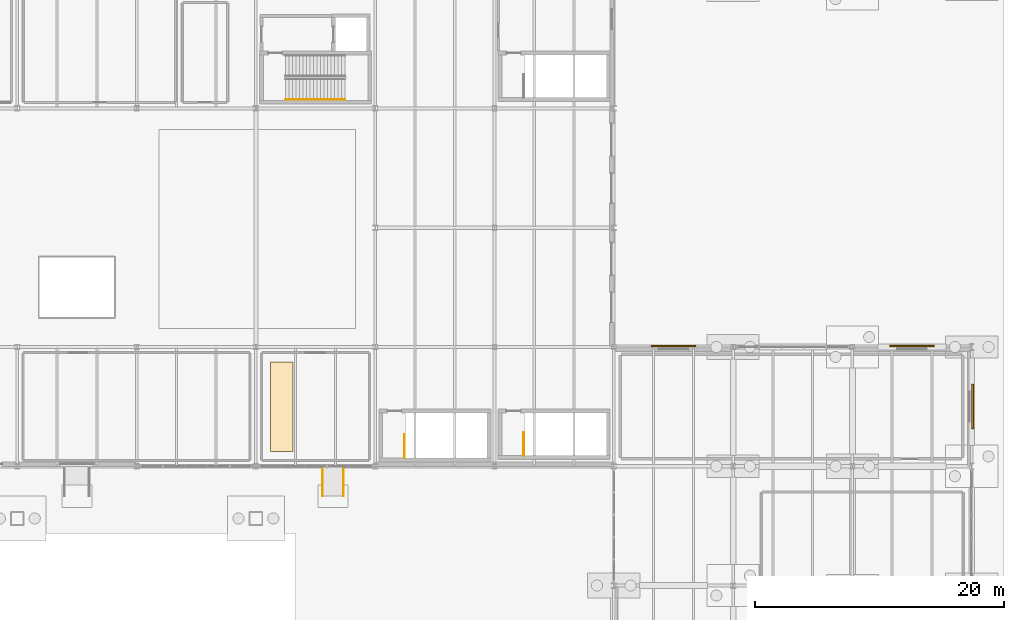
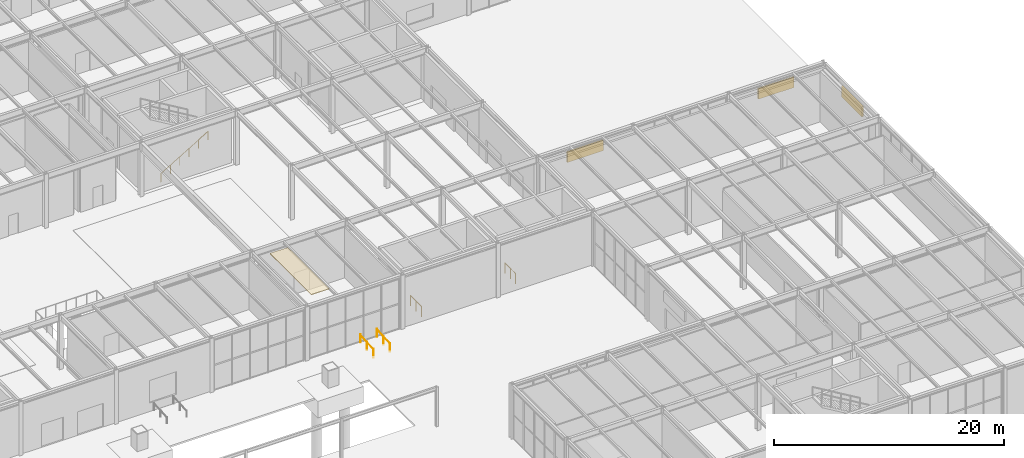
# One storey, part 139 of 142: 5 railings, 3 shading devices, 1 covering.
"""IFC4 building model written with IfcOpenShell, lengths in metres."""

from ifc_helpers import new_model, si_unit, direction, frame, origin, origin_2d, place, context, subcontext, project, spatial, polyline, rectangle, circle, outline, extrude, material, layer, layer_set, type_object, element, save


model = new_model("IFC4")

# Units and contexts
model_context = context("Model", 3, precision=1e-05, world=origin(), true_north=direction((0.0, 1.0)))
body_context = subcontext(model_context, "Body", "Model", "MODEL_VIEW")
ifc_project = project(units=[si_unit("LENGTHUNIT", "METRE"), si_unit("AREAUNIT", "SQUARE_METRE"), si_unit("VOLUMEUNIT", "CUBIC_METRE"), si_unit("PLANEANGLEUNIT", "RADIAN"), si_unit("MASSUNIT", "GRAM", prefix="KILO")], contexts=[model_context])

# Site, building, storey
site_placement = place(None, origin())
site = spatial("IfcSite", under=ifc_project, at=site_placement, CompositionType="ELEMENT")
building_placement = place(site_placement, origin())
building = spatial("IfcBuilding", under=site, at=building_placement, Name="Coralgate Yard Interchange", CompositionType="ELEMENT")
storey_placement = place(building_placement, origin())
storey = spatial("IfcBuildingStorey", under=building, at=storey_placement, Name="L00", CompositionType="ELEMENT", Elevation=0.0)

# Covering
ifc_material_1 = material(Name="Mineral-fibre acoustic baffle ceiling panel")
ifc_layer = layer(ifc_material_1, 0.06005859375)
ifc_layer_set = layer_set([ifc_layer], Name="Mineral-fibre acoustic baffle ceiling panel")
covering_type = type_object("IfcCoveringType", Name="COV-CEL2", PredefinedType="CEILING", material=ifc_layer_set)
covering_placement = place(storey_placement, frame((0.0, 0.0, 5.72509765625)))
element("IfcCovering", 1, at=covering_placement, inside=storey, type_object=covering_type, Name="Concourse Convenience Retail 04 acoustic soffit panel", PredefinedType="CEILING", context=body_context, shape_type="SweptSolid", body=[
    extrude(outline(polyline([(125.989990234375, 39.590087890625), (127.800048828125, 39.590087890625), (127.800048828125, 46.81005859375), (125.989990234375, 46.81005859375), (125.989990234375, 39.590087890625)])), origin(), (0.0, 0.0, 1.0), 0.059814453125),
])

# Railings
ifc_material_2 = material(Name="Grade 316 marine stainless steel and toughened glass balustrade", Category="steel")
railing_type_1 = type_object("IfcRailingType", Name="RLG-GD1100", PredefinedType="BALUSTRADE", material=ifc_material_2)
railing_1_placement = place(storey_placement, frame((146.35009765625, 39.260009765625, 0.0)))
element("IfcRailing", 2, at=railing_1_placement, inside=storey, type_object=railing_type_1, Name="L00 ST-10 top well guard 1", PredefinedType="BALUSTRADE", context=body_context, shape_type="SweptSolid", body=[
    extrude(circle(Radius=0.02392578125, at=origin_2d()), frame((0.0, 0.0, 1.076171875), z_axis=(0.0, 1.0, 0.0), x_axis=(-1.0, 0.0, 0.0)), (0.0, 0.0, 1.0), 1.869873046875),
    extrude(circle(Radius=0.02099609375, at=origin_2d()), origin(), (0.0, 0.0, 1.0), 1.051513671875),
    extrude(circle(Radius=0.02099609375, at=origin_2d()), frame((0.0, 0.93505859375, 0.0)), (0.0, 0.0, 1.0), 1.051513671875),
    extrude(circle(Radius=0.02099609375, at=origin_2d()), frame((0.0, 1.869873046875, 0.0)), (0.0, 0.0, 1.0), 1.051513671875),
])
railing_2_placement = place(storey_placement, frame((136.75, 39.050048828125, 0.0)))
element("IfcRailing", 3, at=railing_2_placement, inside=storey, type_object=railing_type_1, Name="L00 ST-13 top well guard 1", PredefinedType="BALUSTRADE", context=body_context, shape_type="SweptSolid", body=[
    extrude(circle(Radius=0.02392578125, at=origin_2d()), frame((0.0, 0.0, 1.076171875), z_axis=(0.0, 1.0, 0.0), x_axis=(-1.0, 0.0, 0.0)), (0.0, 0.0, 1.0), 1.909912109375),
    extrude(circle(Radius=0.02099609375, at=origin_2d()), origin(), (0.0, 0.0, 1.0), 1.051513671875),
    extrude(circle(Radius=0.02099609375, at=origin_2d()), frame((0.0, 0.955078125, 0.0)), (0.0, 0.0, 1.0), 1.051513671875),
    extrude(circle(Radius=0.02099609375, at=origin_2d()), frame((0.0, 1.909912109375, 0.0)), (0.0, 0.0, 1.0), 1.051513671875),
])
ifc_material_3 = material(Name="Grade 316 marine stainless steel", Category="steel")
railing_type_2 = type_object("IfcRailingType", Name="RLG-HR900", PredefinedType="HANDRAIL", material=ifc_material_3)
railing_3_placement = place(storey_placement, frame((127.199951171875, 67.89990234375, 0.166748046875)))
element("IfcRailing", 4, at=railing_3_placement, inside=storey, type_object=railing_type_2, Name="L00 ST-07 stair handrail 1", PredefinedType="HANDRAIL", context=body_context, shape_type="SweptSolid", body=[
    extrude(circle(Radius=0.02392578125, at=origin_2d()), frame((0.0, 0.0, 0.8759765625), z_axis=(0.859299802514, 0.0, 0.511472237174), x_axis=(0.0, 1.0, 0.0)), (0.0, 0.0, 1.0), 5.539306640625),
    extrude(circle(Radius=0.02099609375, at=origin_2d()), origin(), (0.0, 0.0, 1.0), 0.851318359375),
    extrude(circle(Radius=0.02099609375, at=origin_2d()), frame((0.951904296875, 0.0, 0.566650390625)), (0.0, 0.0, 1.0), 0.851318359375),
    extrude(circle(Radius=0.02099609375, at=origin_2d()), frame((1.904052734375, 0.0, 1.13330078125)), (0.0, 0.0, 1.0), 0.851318359375),
    extrude(circle(Radius=0.02099609375, at=origin_2d()), frame((2.85595703125, 0.0, 1.699951171875)), (0.0, 0.0, 1.0), 0.851318359375),
    extrude(circle(Radius=0.02099609375, at=origin_2d()), frame((3.80810546875, 0.0, 2.2666015625)), (0.0, 0.0, 1.0), 0.851318359375),
    extrude(circle(Radius=0.02099609375, at=origin_2d()), frame((4.760009765625, 0.0, 2.833251953125)), (0.0, 0.0, 1.0), 0.851318359375),
])
for number, where, name in (
    (5, (130.159912109375, 36.0, -0.179931640625), "South courtyard east accessible ramp handrail L"),
    (6, (131.840087890625, 36.0, -0.179931640625), "South courtyard east accessible ramp handrail R"),
):
    element("IfcRailing", number, at=place(storey_placement, frame(where)), inside=storey, type_object=railing_type_2, Name=name, PredefinedType="HANDRAIL", context=body_context, shape_type="SweptSolid", body=[
        extrude(circle(Radius=0.02392578125, at=origin_2d()), frame((0.0, 0.0, 0.8759765625), z_axis=(0.0, 0.997202693388, 0.07474482122), x_axis=(-1.0, 0.0, 0.0)), (0.0, 0.0, 1.0), 2.286376953125),
        extrude(circle(Radius=0.02099609375, at=origin_2d()), origin(), (0.0, 0.0, 1.0), 0.851318359375),
        extrude(circle(Radius=0.02099609375, at=origin_2d()), frame((0.0, 1.14013671875, 0.08544921875)), (0.0, 0.0, 1.0), 0.851318359375),
        extrude(circle(Radius=0.02099609375, at=origin_2d()), frame((0.0, 2.280029296875, 0.1708984375)), (0.0, 0.0, 1.0), 0.851318359375),
    ])

# Shading devices
ifc_material_4 = material(Name="Marine anodised extruded aluminium stormproof louvre bank", Category="aluminium")
shading_device_type = type_object("IfcShadingDeviceType", Name="SHD-LV1", PredefinedType="JALOUSIE", material=ifc_material_4)
for number, where, z_axis, x_axis, name in (
    (7, (158.39990234375, 48.074951171875, 4.0), (0.0, 0.0, 1.0), (1.0, 0.0, 0.0), "L00 stormproof aluminium ventilation louvre N-16-4"),
    (8, (177.60009765625, 48.074951171875, 4.0), (0.0, 0.0, 1.0), (1.0, 0.0, 0.0), "L00 stormproof aluminium ventilation louvre N-18-4"),
    (9, (182.47509765625, 43.199951171875, 3.81689453125), (0.0, 0.0, 1.0), (0.0, -1.0, 0.0), "L00 stormproof aluminium ventilation louvre E-18-4"),
):
    element("IfcShadingDevice", number, at=place(storey_placement, frame(where, z_axis=z_axis, x_axis=x_axis)), inside=storey, type_object=shading_device_type, Name=name, PredefinedType="JALOUSIE", context=body_context, shape_type="SweptSolid", body=[
        extrude(rectangle(XDim=3.60009765625, YDim=0.14990234375, at=origin_2d()), origin(), (0.0, 0.0, 1.0), 1.10009765625),
    ])

save(model, "model.ifc")
